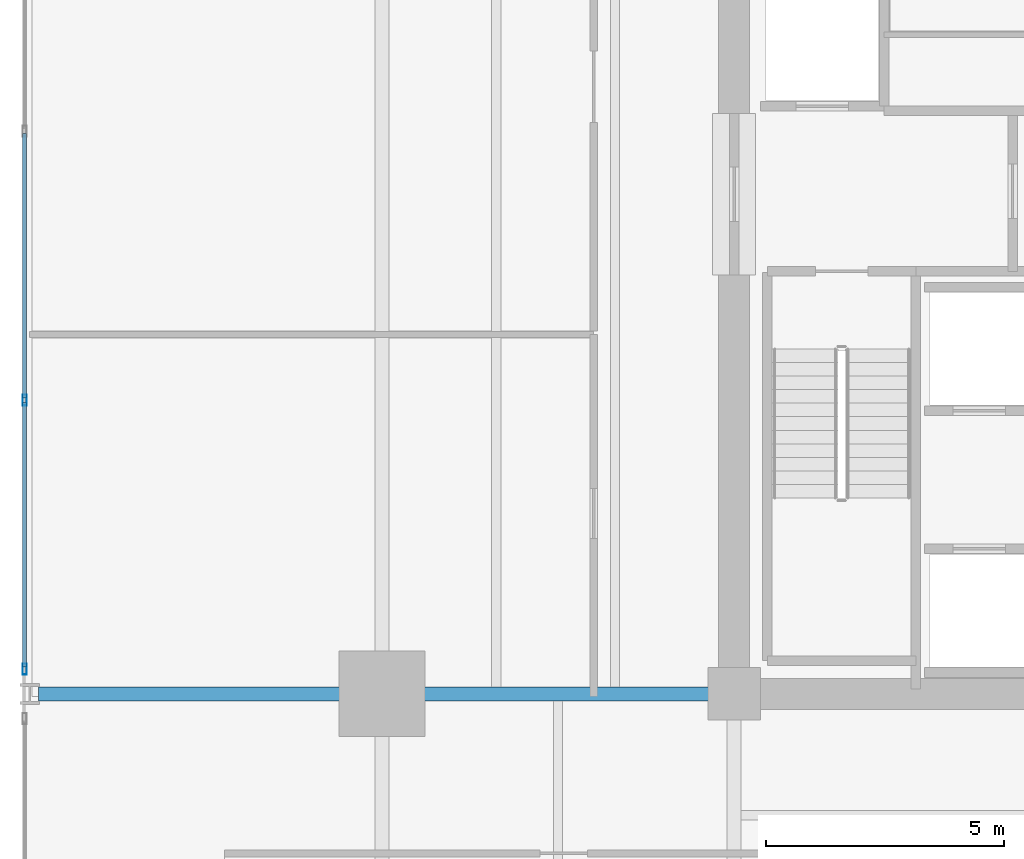
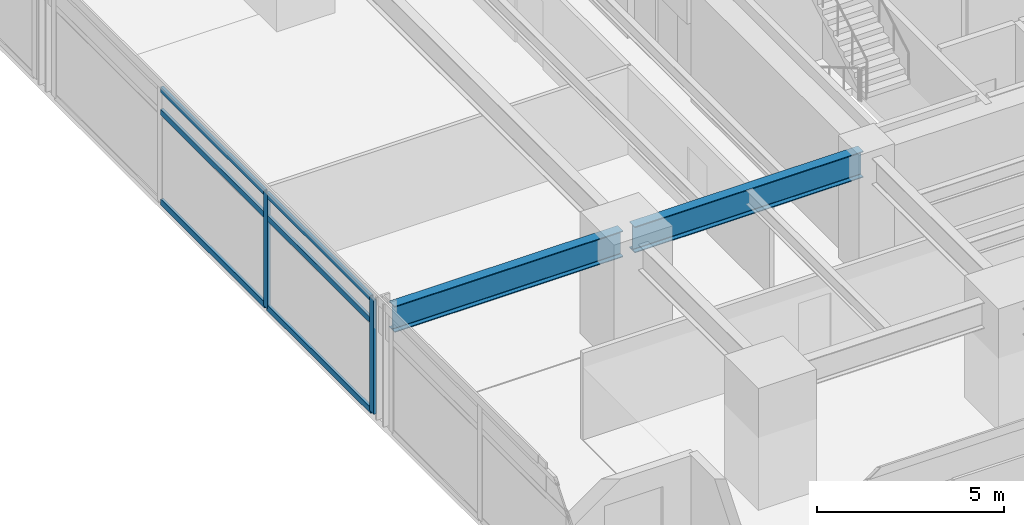
# One storey, part 5 of 23: 8 members, 2 beams, 1 element without a shape of its own.
"""IFC4 building model written with IfcOpenShell, lengths in metres."""

from ifc_helpers import new_model, si_unit, direction, frame, origin, origin_2d, place, context, subcontext, project, spatial, hollow_rectangle, i_section, extrude, material, material_profile, profile_set, type_object, element, aggregate, save


model = new_model("IFC4")

# Units and contexts
model_context = context("Model", 3, precision=1e-05, world=origin(), true_north=direction((0.0, 1.0)))
body_context = subcontext(model_context, "Body", "Model", "MODEL_VIEW")
ifc_project = project(units=[si_unit("LENGTHUNIT", "METRE"), si_unit("AREAUNIT", "SQUARE_METRE"), si_unit("VOLUMEUNIT", "CUBIC_METRE"), si_unit("PLANEANGLEUNIT", "RADIAN"), si_unit("MASSUNIT", "GRAM", prefix="KILO")], contexts=[model_context])

# Site, building, storey
site_placement = place(None, origin())
site = spatial("IfcSite", under=ifc_project, at=site_placement, CompositionType="ELEMENT")
building_placement = place(site_placement, origin())
building = spatial("IfcBuilding", under=site, at=building_placement, Name="Kovane Verandah Tower", CompositionType="ELEMENT")
storey_placement = place(building_placement, frame((0.0, 0.0, 63.60009765625)))
storey = spatial("IfcBuildingStorey", under=building, at=storey_placement, Name="L14", CompositionType="ELEMENT", Elevation=63.60009765625)

# Beams
ifc_material_1 = material(Name="Steel S355", Category="steel")
ifc_material_profile_1 = material_profile(ifc_material_1, i_section(OverallWidth=0.293701171875, OverallDepth=0.850830078125, WebThickness=0.01611328125, FlangeThickness=0.02685546875, FilletRadius=0.017822265625, at=origin_2d()), Name="UB838x292x226")
ifc_profile_set_1 = profile_set([ifc_material_profile_1], Name="Steel S355")
beam_type = type_object("IfcBeamType", Name="BM-UB838x226", PredefinedType="BEAM", material=ifc_profile_set_1)
for number, where, z_axis, x_axis, name in (
    (1, (28.820068359375, 18.5, 3.33447265625), (-1.0, 0.0, 0.0), (0.0, -1.0, 0.0), "L14 Primary Tower Girder G-W1"),
    (2, (21.419921875, 18.5, 3.33447265625), (-1.0, 0.0, 0.0), (0.0, -1.0, 0.0), "L14 Primary Tower Girder G-VW1"),
):
    element("IfcBeam", number, at=place(storey_placement, frame(where, z_axis=z_axis, x_axis=x_axis)), inside=storey, type_object=beam_type, Name=name, PredefinedType="BEAM", context=body_context, shape_type="SweptSolid", body=[
        extrude(i_section(OverallWidth=0.293701171875, OverallDepth=0.850830078125, WebThickness=0.01611328125, FlangeThickness=0.02685546875, FilletRadius=0.017822265625, at=origin_2d()), origin(), (0.0, 0.0, 1.0), 7.0400390625),
    ])

# Curtain wall, members
ifc_material_2 = material(Name="Champagne Anodised Aluminium Frame with Low-E Clear Laminated Glass", Category="aluminium")
curtain_wall_type = type_object("IfcCurtainWallType", Name="CW-SYS-02-LOW", PredefinedType="NOTDEFINED", material=ifc_material_2)
curtain_wall_placement = place(storey_placement, origin())
curtain_wall = element("IfcCurtainWall", 3, at=curtain_wall_placement, inside=storey, type_object=curtain_wall_type, Name="L14 W Unitised Curtain Wall-2", PredefinedType="NOTDEFINED")
ifc_material_3 = material(Name="Champagne Anodised Aluminium 6063-T6", Category="aluminium")
ifc_material_profile_2 = material_profile(ifc_material_3, hollow_rectangle(XDim=0.0849609375, YDim=0.22998046875, WallThickness=0.00390625, at=origin_2d()), Name="AL85x230x4")
ifc_profile_set_2 = profile_set([ifc_material_profile_2], Name="Champagne Anodised Aluminium 6063-T6")
member_type_1 = type_object("IfcMemberType", Name="CW-MUL-85x230", PredefinedType="MULLION", material=ifc_profile_set_2)
member_1_placement = place(storey_placement, frame((14.093017578125, 24.67333984375, 0.02001953125), z_axis=(0.0, 0.0, 1.0), x_axis=(-1.0, 0.0, 0.0)))
member_1 = element("IfcMember", 4, at=member_1_placement, type_object=member_type_1, Name="L14 W Unitised Curtain Wall-2 Mullion 3", PredefinedType="MULLION", context=body_context, shape_type="SweptSolid", body=[
    extrude(hollow_rectangle(XDim=0.0849609375, YDim=0.22998046875, WallThickness=0.00390625, at=origin_2d()), origin(), (0.0, 0.0, 1.0), 3.719970703125),
])
member_2_placement = place(storey_placement, frame((14.093017578125, 19.02001953125, 0.02001953125), z_axis=(0.0, 0.0, 1.0), x_axis=(-1.0, 0.0, 0.0)))
member_2 = element("IfcMember", 5, at=member_2_placement, type_object=member_type_1, Name="L14 W Unitised Curtain Wall-2 Mullion 4", PredefinedType="MULLION", context=body_context, shape_type="SweptSolid", body=[
    extrude(hollow_rectangle(XDim=0.0849609375, YDim=0.22998046875, WallThickness=0.00390625, at=origin_2d()), origin(), (0.0, 0.0, 1.0), 3.719970703125),
])
ifc_material_profile_3 = material_profile(ifc_material_3, hollow_rectangle(XDim=0.0849609375, YDim=0.18994140625, WallThickness=0.00390625, at=origin_2d()), Name="AL85x190x4")
ifc_profile_set_3 = profile_set([ifc_material_profile_3], Name="Champagne Anodised Aluminium 6063-T6")
member_type_2 = type_object("IfcMemberType", Name="CW-TRN-85x190", PredefinedType="USERDEFINED", material=ifc_profile_set_3)
member_3_placement = place(storey_placement, frame((14.093017578125, 30.276611328125, 0.0498046875), z_axis=(0.0, -1.0, 0.0), x_axis=(1.0, 0.0, 0.0)))
member_3 = element("IfcMember", 6, at=member_3_placement, type_object=member_type_2, Name="L14 W Unitised Curtain Wall-2 Transom TB Bay 2", ObjectType="TRANSOM", PredefinedType="USERDEFINED", context=body_context, shape_type="SweptSolid", body=[
    extrude(hollow_rectangle(XDim=0.0849609375, YDim=0.18994140625, WallThickness=0.00390625, at=origin_2d()), origin(), (0.0, 0.0, 1.0), 5.55322265625),
])
member_4_placement = place(storey_placement, frame((14.093017578125, 30.276611328125, 2.97998046875), z_axis=(0.0, -1.0, 0.0), x_axis=(1.0, 0.0, 0.0)))
member_4 = element("IfcMember", 7, at=member_4_placement, type_object=member_type_2, Name="L14 W Unitised Curtain Wall-2 Transom TM Bay 2", ObjectType="TRANSOM", PredefinedType="USERDEFINED", context=body_context, shape_type="SweptSolid", body=[
    extrude(hollow_rectangle(XDim=0.0849609375, YDim=0.18994140625, WallThickness=0.00390625, at=origin_2d()), origin(), (0.0, 0.0, 1.0), 5.55322265625),
])
member_5_placement = place(storey_placement, frame((14.093017578125, 30.276611328125, 3.7099609375), z_axis=(0.0, -1.0, 0.0), x_axis=(1.0, 0.0, 0.0)))
member_5 = element("IfcMember", 8, at=member_5_placement, type_object=member_type_2, Name="L14 W Unitised Curtain Wall-2 Transom TT Bay 2", ObjectType="TRANSOM", PredefinedType="USERDEFINED", context=body_context, shape_type="SweptSolid", body=[
    extrude(hollow_rectangle(XDim=0.0849609375, YDim=0.18994140625, WallThickness=0.00390625, at=origin_2d()), origin(), (0.0, 0.0, 1.0), 5.55322265625),
])
member_6_placement = place(storey_placement, frame((14.093017578125, 24.623291015625, 0.0498046875), z_axis=(0.0, -1.0, 0.0), x_axis=(1.0, 0.0, 0.0)))
member_6 = element("IfcMember", 9, at=member_6_placement, type_object=member_type_2, Name="L14 W Unitised Curtain Wall-2 Transom TB Bay 3", ObjectType="TRANSOM", PredefinedType="USERDEFINED", context=body_context, shape_type="SweptSolid", body=[
    extrude(hollow_rectangle(XDim=0.0849609375, YDim=0.18994140625, WallThickness=0.00390625, at=origin_2d()), origin(), (0.0, 0.0, 1.0), 5.55322265625),
])
member_7_placement = place(storey_placement, frame((14.093017578125, 24.623291015625, 2.97998046875), z_axis=(0.0, -1.0, 0.0), x_axis=(1.0, 0.0, 0.0)))
member_7 = element("IfcMember", 10, at=member_7_placement, type_object=member_type_2, Name="L14 W Unitised Curtain Wall-2 Transom TM Bay 3", ObjectType="TRANSOM", PredefinedType="USERDEFINED", context=body_context, shape_type="SweptSolid", body=[
    extrude(hollow_rectangle(XDim=0.0849609375, YDim=0.18994140625, WallThickness=0.00390625, at=origin_2d()), origin(), (0.0, 0.0, 1.0), 5.55322265625),
])
member_8_placement = place(storey_placement, frame((14.093017578125, 24.623291015625, 3.7099609375), z_axis=(0.0, -1.0, 0.0), x_axis=(1.0, 0.0, 0.0)))
member_8 = element("IfcMember", 11, at=member_8_placement, type_object=member_type_2, Name="L14 W Unitised Curtain Wall-2 Transom TT Bay 3", ObjectType="TRANSOM", PredefinedType="USERDEFINED", context=body_context, shape_type="SweptSolid", body=[
    extrude(hollow_rectangle(XDim=0.0849609375, YDim=0.18994140625, WallThickness=0.00390625, at=origin_2d()), origin(), (0.0, 0.0, 1.0), 5.55322265625),
])
aggregate(curtain_wall, [member_1, member_2, member_3, member_4, member_5, member_6, member_7, member_8])

save(model, "model.ifc")
